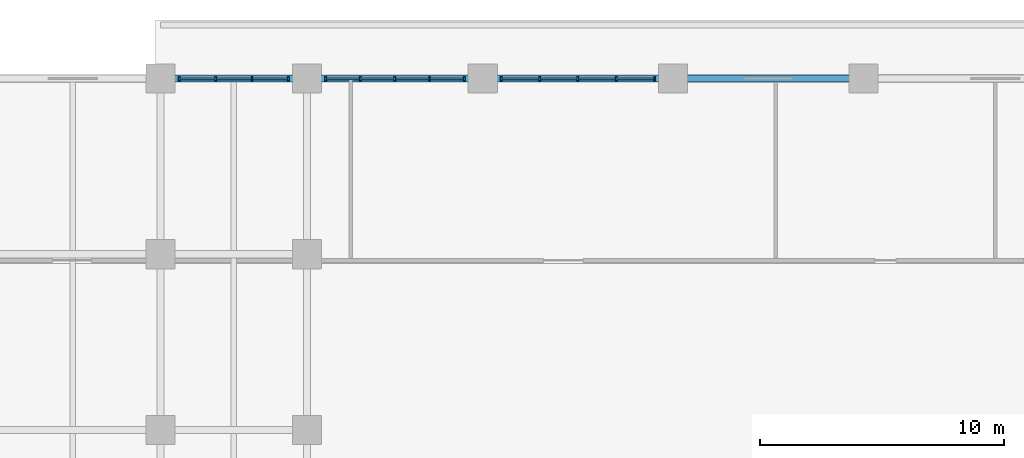
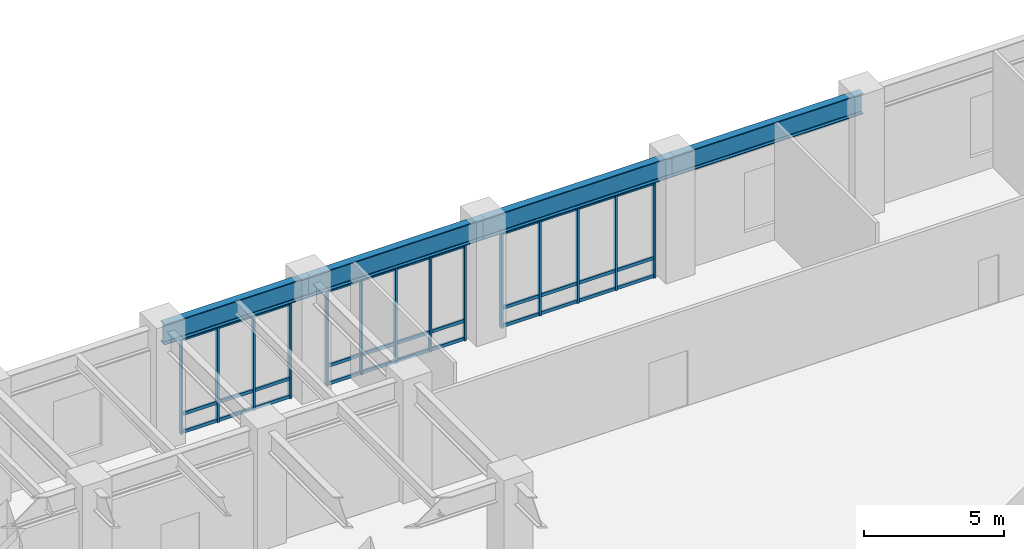
# One storey, part 3 of 20: 47 members, 4 beams, 3 elements without a shape of their own.
"""IFC4 building model written with IfcOpenShell, lengths in metres."""

import ifcopenshell
import ifcopenshell.guid

model = None  # the IFC model being written
_history = None  # IfcOwnerHistory: only IFC2X3 demands one
_inside = {}  # id of a spatial element -> (the spatial element, [elements in it])
_under = {}  # id of a project, library or spatial element -> (it, [spatial elements below it])
_declared = {}  # id of a project -> (the project, [libraries it declares])
_typed = {}  # id of a type object -> (the type object, [elements of that type])
_made_of = {}  # id of a material, layer set ... -> (it, [elements and type objects made of it])


def new_model(schema):
    """Start an empty IFC model of exactly this schema.

    Asked for "IFC4X3", IfcOpenShell would pick the latest addendum, in which some entities
    have other attributes; the version numbers below select the first issue.
    IFC2X3 requires an IfcOwnerHistory on every rooted entity: one is made here for all.
    """
    global model, _history
    if schema == "IFC4X3":
        model = ifcopenshell.file(schema_version=(4, 3, 0, 0))
    else:
        model = ifcopenshell.file(schema=schema)
    _inside.clear()
    _under.clear()
    _declared.clear()
    _typed.clear()
    _made_of.clear()
    _history = None
    if model.schema == "IFC2X3":
        org = make("IfcOrganization", Name="unknown")
        user = make(
            "IfcPersonAndOrganization",
            ThePerson=make("IfcPerson", FamilyName="unknown"),
            TheOrganization=org,
        )
        app = make(
            "IfcApplication",
            ApplicationDeveloper=org,
            Version="unknown",
            ApplicationFullName="unknown",
            ApplicationIdentifier="unknown",
        )
        _history = make(
            "IfcOwnerHistory",
            OwningUser=user,
            OwningApplication=app,
            ChangeAction="ADDED",
            CreationDate=0,
        )
    return model


def make(cls, **values):
    """One entity of the class cls with the attributes given. An attribute that is None is left unset."""
    return model.create_entity(
        cls, **{name: value for name, value in values.items() if value is not None}
    )


def rooted(cls, **values):
    """An entity with a GlobalId (a new one), such as an element, a storey or a relation."""
    return make(cls, GlobalId=ifcopenshell.guid.new(), OwnerHistory=_history, **values)


def si_unit(unit_type, name, prefix=None):
    """IfcSIUnit, for example si_unit("LENGTHUNIT", "METRE", prefix="MILLI")."""
    return make("IfcSIUnit", UnitType=unit_type, Prefix=prefix, Name=name)


def derived_unit(unit_type, elements):
    """IfcDerivedUnit: a product of units, each with its exponent."""
    return make(
        "IfcDerivedUnit",
        Elements=[
            make("IfcDerivedUnitElement", Unit=unit, Exponent=power)
            for unit, power in elements
        ],
        UnitType=unit_type,
    )


def assignment(units):
    """IfcUnitAssignment: the units of a project."""
    return None if units is None else make("IfcUnitAssignment", Units=units)


def point(xyz):
    """IfcCartesianPoint."""
    return None if xyz is None else make("IfcCartesianPoint", Coordinates=xyz)


def direction(xyz):
    """IfcDirection."""
    return None if xyz is None else make("IfcDirection", DirectionRatios=xyz)


def frame(location, z_axis=None, x_axis=None):
    """IfcAxis2Placement3D, a coordinate frame: its origin and axes. An axis left out is left unset."""
    return make(
        "IfcAxis2Placement3D",
        Location=point(location),
        Axis=direction(z_axis),
        RefDirection=direction(x_axis),
    )


def frame_2d(location, x_axis=None):
    """IfcAxis2Placement2D, a coordinate frame in the plane: its origin and x axis."""
    return make(
        "IfcAxis2Placement2D", Location=point(location), RefDirection=direction(x_axis)
    )


def origin():
    """The frame at (0, 0, 0) with its axes left unset."""
    return frame((0.0, 0.0, 0.0))


def origin_2d():
    """The frame at (0, 0) in the plane with its x axis left unset."""
    return frame_2d((0.0, 0.0))


def place(relative_to, where):
    """IfcLocalPlacement: puts the frame where relative to a parent placement (None: the world)."""
    return make(
        "IfcLocalPlacement", PlacementRelTo=relative_to, RelativePlacement=where
    )


def context(
    kind, dimensions, precision=None, world=None, true_north=None, identifier=None
):
    """IfcGeometricRepresentationContext, for example the 3D "Model" context."""
    return make(
        "IfcGeometricRepresentationContext",
        ContextIdentifier=identifier,
        ContextType=kind,
        CoordinateSpaceDimension=dimensions,
        Precision=precision,
        WorldCoordinateSystem=world,
        TrueNorth=true_north,
    )


def subcontext(parent, identifier, kind, view, scale=None):
    """IfcGeometricRepresentationSubContext, for example "Body" below "Model"."""
    return make(
        "IfcGeometricRepresentationSubContext",
        ContextIdentifier=identifier,
        ContextType=kind,
        ParentContext=parent,
        TargetScale=scale,
        TargetView=view,
    )


def project(units=None, contexts=None):
    """IfcProject with its units and contexts."""
    return rooted(
        "IfcProject",
        Name="project",
        RepresentationContexts=contexts,
        UnitsInContext=assignment(units),
    )


def spatial(cls, under=None, at=None, **own):
    """A site, building, storey or space (cls), placed at a placement, below another one or the project."""
    s = rooted(cls, ObjectPlacement=at, **own)
    if under is not None:
        _under.setdefault(under.id(), (under, []))[1].append(s)
    return s


def profile(cls, at=None, kind="AREA", **sizes):
    """A parametric profile (cls). Its sizes go by their IFC names, for example OverallWidth=200.0."""
    return make(cls, ProfileType=kind, Position=at, **sizes)


def rectangle(**sizes):
    """IfcRectangleProfileDef."""
    return profile("IfcRectangleProfileDef", **sizes)


def i_section(**sizes):
    """IfcIShapeProfileDef."""
    return profile("IfcIShapeProfileDef", **sizes)


def extrude(swept, where, along, depth):
    """IfcExtrudedAreaSolid: the profile swept, set in the frame where, extruded along a direction by depth."""
    return make(
        "IfcExtrudedAreaSolid",
        SweptArea=swept,
        Position=where,
        ExtrudedDirection=direction(along),
        Depth=depth,
    )


def shape(context_of_items, identifier, shape_type, items):
    """IfcShapeRepresentation: the items that make up one representation, for example the "Body"."""
    return make(
        "IfcShapeRepresentation",
        ContextOfItems=context_of_items,
        RepresentationIdentifier=identifier,
        RepresentationType=shape_type,
        Items=items,
    )


def source(mapping_origin, context_of_items, identifier, shape_type, items):
    """IfcRepresentationMap: a shape defined once, which mapped items show again and again."""
    return make(
        "IfcRepresentationMap",
        MappingOrigin=mapping_origin,
        MappedRepresentation=shape(context_of_items, identifier, shape_type, items),
    )


def transform(
    local_origin,
    x_axis=None,
    y_axis=None,
    z_axis=None,
    scale=None,
    scale2=None,
    scale3=None,
    uniform=True,
):
    """IfcCartesianTransformationOperator3D, or its non-uniform kind. x_axis, y_axis, z_axis: its Axis1, 2, 3."""
    if uniform:
        return make(
            "IfcCartesianTransformationOperator3D",
            Axis1=direction(x_axis),
            Axis2=direction(y_axis),
            LocalOrigin=point(local_origin),
            Scale=scale,
            Axis3=direction(z_axis),
        )
    return make(
        "IfcCartesianTransformationOperator3DnonUniform",
        Axis1=direction(x_axis),
        Axis2=direction(y_axis),
        LocalOrigin=point(local_origin),
        Scale=scale,
        Axis3=direction(z_axis),
        Scale2=scale2,
        Scale3=scale3,
    )


def mapped(mapping_source, mapping_target):
    """IfcMappedItem: shows the shape of a source again, moved by a transform."""
    return make(
        "IfcMappedItem", MappingSource=mapping_source, MappingTarget=mapping_target
    )


def material(Name=None, Category=None):
    """IfcMaterial."""
    return make("IfcMaterial", Name=Name, Category=Category)


def layer(
    of_material, thickness, ventilated=None, Name=None, Category=None, Priority=None
):
    """IfcMaterialLayer: one layer of a wall or slab, of a material (None: an air gap)."""
    return make(
        "IfcMaterialLayer",
        Material=of_material,
        LayerThickness=thickness,
        IsVentilated=ventilated,
        Name=Name,
        Category=Category,
        Priority=Priority,
    )


def layer_set(layers, Name=None):
    """IfcMaterialLayerSet."""
    return make("IfcMaterialLayerSet", MaterialLayers=layers, LayerSetName=Name)


def material_profile(
    of_material, cross_section, Name=None, Category=None, Priority=None
):
    """IfcMaterialProfile: a cross section and its material."""
    return make(
        "IfcMaterialProfile",
        Name=Name,
        Material=of_material,
        Profile=cross_section,
        Priority=Priority,
        Category=Category,
    )


def profile_set(profiles, Name=None, composite=None):
    """IfcMaterialProfileSet."""
    return make(
        "IfcMaterialProfileSet",
        Name=Name,
        MaterialProfiles=profiles,
        CompositeProfile=composite,
    )


def made_of(thing, what):
    """Note that an element or type object is made of a material, layer set ...; save() writes the relation."""
    if what is not None:
        _made_of.setdefault(what.id(), (what, []))[1].append(thing)
    return thing


def type_object(cls, material=None, **own):
    """A type object (cls), such as IfcWallType, which elements share."""
    return made_of(rooted(cls, **own), material)


def type_shapes(of_type, sources):
    """Give a type object the sources (RepresentationMaps) that its elements show as mapped items."""
    of_type.RepresentationMaps = sources


def element(
    cls,
    number,
    at=None,
    inside=None,
    cuts=None,
    type_object=None,
    material=None,
    context=None,
    identifier="Body",
    shape_type=None,
    held_by="IfcProductDefinitionShape",
    body=None,
    shapes=None,
    **own,
):
    """One element of the class cls, such as IfcWall. Its Tag is "e" and its number.

    at: its placement. inside: the storey or other place that contains it. cuts: it is an
    opening in that element (IfcRelVoidsElement). A single representation is given by context,
    identifier, shape_type and body (its items); several are given by shapes. held_by: the class
    of the entity that holds the representations. save() writes the other relations.
    """
    e = rooted(cls, Tag="e%d" % number, ObjectPlacement=at, **own)
    if body is not None:
        shapes = [shape(context, identifier, shape_type, body)]
    if shapes is not None:
        e.Representation = make(held_by, Representations=shapes)
    if inside is not None:
        _inside.setdefault(inside.id(), (inside, []))[1].append(e)
    if cuts is not None:
        rooted(
            "IfcRelVoidsElement", RelatingBuildingElement=cuts, RelatedOpeningElement=e
        )
    if type_object is not None:
        _typed.setdefault(type_object.id(), (type_object, []))[1].append(e)
    return made_of(e, material)


def aggregate(whole, parts):
    """IfcRelAggregates: a whole, such as a stair, and the parts it consists of."""
    return rooted("IfcRelAggregates", RelatingObject=whole, RelatedObjects=parts)


def save(model, path):
    """Write the relations noted so far, then the file.

    IfcRelAggregates (storeys below a building ...), IfcRelContainedInSpatialStructure (elements
    in a storey), IfcRelDefinesByType, IfcRelAssociatesMaterial and IfcRelDeclares: one each for
    every whole, place, type object, material and project.
    """
    for whole, parts in _under.values():
        aggregate(whole, parts)
    for where, things in _inside.values():
        rooted(
            "IfcRelContainedInSpatialStructure",
            RelatedElements=things,
            RelatingStructure=where,
        )
    for kind, things in _typed.values():
        rooted("IfcRelDefinesByType", RelatedObjects=things, RelatingType=kind)
    for what, things in _made_of.values():
        rooted("IfcRelAssociatesMaterial", RelatedObjects=things, RelatingMaterial=what)
    for by, libraries in _declared.values():
        rooted("IfcRelDeclares", RelatingContext=by, RelatedDefinitions=libraries)
    model.write(path)


model = new_model("IFC4")

# Units and contexts
model_context = context("Model", 3, precision=1e-05, world=origin(), true_north=direction((0.0, 1.0)))
body_context = subcontext(model_context, "Body", "Model", "MODEL_VIEW")
ifc_project = project(units=[si_unit("LENGTHUNIT", "METRE"), si_unit("AREAUNIT", "SQUARE_METRE"), si_unit("VOLUMEUNIT", "CUBIC_METRE"), si_unit("PLANEANGLEUNIT", "RADIAN"), si_unit("MASSUNIT", "GRAM", prefix="KILO"), si_unit("THERMODYNAMICTEMPERATUREUNIT", "KELVIN"), si_unit("POWERUNIT", "WATT"), derived_unit("THERMALTRANSMITTANCEUNIT", [(si_unit("POWERUNIT", "WATT"), 1), (si_unit("AREAUNIT", "SQUARE_METRE"), -1), (si_unit("THERMODYNAMICTEMPERATUREUNIT", "KELVIN"), -1)])], contexts=[model_context])

# Site, building, storey
site_placement = place(None, origin())
site = spatial("IfcSite", under=ifc_project, at=site_placement, CompositionType="ELEMENT")
building_placement = place(site_placement, origin())
building = spatial("IfcBuilding", under=site, at=building_placement, Name="Zahravan Archway Hotel and Residences", CompositionType="ELEMENT")
storey_placement = place(building_placement, frame((0.0, 0.0, 16.199951171875)))
storey = spatial("IfcBuildingStorey", under=building, at=storey_placement, Name="L03", CompositionType="ELEMENT", Elevation=16.199951171875)

# Beams
ifc_material_1 = material(Name="Structural Steel S355J2", Category="steel")
ifc_material_profile_1 = material_profile(ifc_material_1, i_section(OverallWidth=0.300048828125, OverallDepth=0.89990234375, WebThickness=0.0185546875, FlangeThickness=0.034912109375, FilletRadius=0.030029296875, at=origin_2d()), Name="HEB 900", Category="steel")
ifc_profile_set_1 = profile_set([ifc_material_profile_1], Name="Structural Steel S355J2")
beam_type = type_object("IfcBeamType", Name="BM-PRI-HEB900", PredefinedType="BEAM", material=ifc_profile_set_1)
shared_shape_1 = source(origin(), body_context, "Body", "SweptSolid", [
    extrude(i_section(OverallWidth=0.300048828125, OverallDepth=0.89990234375, WebThickness=0.0185546875, FlangeThickness=0.034912109375, FilletRadius=0.030029296875, at=origin_2d()), origin(), (0.0, 0.0, 1.0), 7.199951171875),
])
beam_1_placement = place(storey_placement, frame((34.800048828125, 46.800048828125, 4.650146484375), z_axis=(1.0, 0.0, 0.0), x_axis=(0.0, 1.0, 0.0)))
element("IfcBeam", 1, at=beam_1_placement, inside=storey, type_object=beam_type, Name="L03 Primary Girder EW-65", PredefinedType="BEAM", context=body_context, shape_type="MappedRepresentation", body=[
    mapped(shared_shape_1, transform((0.0, 0.0, 0.0), scale=1.0)),
])
shared_shape_2 = source(origin(), body_context, "Body", "SweptSolid", [
    extrude(i_section(OverallWidth=0.300048828125, OverallDepth=0.89990234375, WebThickness=0.0185546875, FlangeThickness=0.034912109375, FilletRadius=0.030029296875, at=origin_2d()), origin(), (0.0, 0.0, 1.0), 6.0),
])
beam_2_placement = place(storey_placement, frame((28.800048828125, 46.800048828125, 4.650146484375), z_axis=(1.0, 0.0, 0.0), x_axis=(0.0, 1.0, 0.0)))
element("IfcBeam", 2, at=beam_2_placement, inside=storey, type_object=beam_type, Name="L03 Primary Girder EW-64", PredefinedType="BEAM", context=body_context, shape_type="MappedRepresentation", body=[
    mapped(shared_shape_2, transform((0.0, 0.0, 0.0), scale=1.0)),
])
shared_shape_3 = source(origin(), body_context, "Body", "SweptSolid", [
    extrude(i_section(OverallWidth=0.300048828125, OverallDepth=0.89990234375, WebThickness=0.0185546875, FlangeThickness=0.034912109375, FilletRadius=0.030029296875, at=origin_2d()), origin(), (0.0, 0.0, 1.0), 7.800048828125),
])
for number, where, z_axis, x_axis, name in (
    (3, (42.0, 46.800048828125, 4.650146484375), (1.0, 0.0, 0.0), (0.0, 1.0, 0.0), "L03 Primary Girder EW-66"),
    (4, (49.800048828125, 46.800048828125, 4.650146484375), (1.0, 0.0, 0.0), (0.0, 1.0, 0.0), "L03 Primary Girder EW-67"),
):
    element("IfcBeam", number, at=place(storey_placement, frame(where, z_axis=z_axis, x_axis=x_axis)), inside=storey, type_object=beam_type, Name=name, PredefinedType="BEAM", context=body_context, shape_type="MappedRepresentation", body=[
        mapped(shared_shape_3, transform((0.0, 0.0, 0.0), scale=1.0)),
    ])

# Curtain wall, members
ifc_material_2 = material(Name="Bronze-Anodized Unitised Aluminium & Low-E Glass", Category="aluminium")
ifc_layer = layer(ifc_material_2, 0.179931640625, Name="Bronze-Anodized Unitised Aluminium & Low-E Glass", Category="aluminium")
ifc_layer_set = layer_set([ifc_layer], Name="Bronze-Anodized Unitised Aluminium & Low-E Glass")
curtain_wall_type = type_object("IfcCurtainWallType", Name="CW-POD-ARCH", PredefinedType="NOTDEFINED", material=ifc_layer_set)
curtain_wall_1_placement = place(storey_placement, origin())
curtain_wall_1 = element("IfcCurtainWall", 5, at=curtain_wall_1_placement, inside=storey, type_object=curtain_wall_type, Name="L03 Curtain Wall CW-POD-L03-1", PredefinedType="NOTDEFINED")
ifc_material_3 = material(Name="Bronze-Anodized Extruded Aluminium", Category="aluminium")
ifc_material_profile_2 = material_profile(ifc_material_3, rectangle(XDim=0.080078125, YDim=0.139892578125, at=origin_2d()), Name="TRN 80x140", Category="aluminium")
ifc_profile_set_2 = profile_set([ifc_material_profile_2], Name="Bronze-Anodized Extruded Aluminium")
member_type_1 = type_object("IfcMemberType", Name="CWM-TRN-140", PredefinedType="USERDEFINED", material=ifc_profile_set_2)
shared_shape_4 = source(origin(), body_context, "Body", "SweptSolid", [
    extrude(rectangle(XDim=0.080078125, YDim=0.139892578125, at=origin_2d()), origin(), (0.0, 0.0, 1.0), 1.4130859375),
])
type_shapes(member_type_1, [shared_shape_4])
member_1_placement = place(storey_placement, frame((29.60009765625, 46.800048828125, 0.070068359375), z_axis=(1.0, 0.0, 0.0), x_axis=(0.0, 1.0, 0.0)))
member_1 = element("IfcMember", 6, at=member_1_placement, type_object=member_type_1, Name="CW-POD-L03-1 Transom 0-1", ObjectType="TRANSOM", PredefinedType="USERDEFINED", context=body_context, shape_type="MappedRepresentation", body=[
    mapped(shared_shape_4, transform((0.0, 0.0, 0.0), scale=1.0)),
])
member_2_placement = place(storey_placement, frame((29.60009765625, 46.800048828125, 0.85009765625), z_axis=(1.0, 0.0, 0.0), x_axis=(0.0, 1.0, 0.0)))
member_2 = element("IfcMember", 7, at=member_2_placement, type_object=member_type_1, Name="CW-POD-L03-1 Transom 0-2", ObjectType="TRANSOM", PredefinedType="USERDEFINED", context=body_context, shape_type="MappedRepresentation", body=[
    mapped(shared_shape_4, transform((0.0, 0.0, 0.0), scale=1.0)),
])
member_3_placement = place(storey_placement, frame((29.60009765625, 46.800048828125, 4.114990234375), z_axis=(1.0, 0.0, 0.0), x_axis=(0.0, 1.0, 0.0)))
member_3 = element("IfcMember", 8, at=member_3_placement, type_object=member_type_1, Name="CW-POD-L03-1 Transom 0-3", ObjectType="TRANSOM", PredefinedType="USERDEFINED", context=body_context, shape_type="MappedRepresentation", body=[
    mapped(shared_shape_4, transform((0.0, 0.0, 0.0), scale=1.0)),
])
shared_shape_5 = source(origin(), body_context, "Body", "SweptSolid", [
    extrude(rectangle(XDim=0.080078125, YDim=0.139892578125, at=origin_2d()), origin(), (0.0, 0.0, 1.0), 1.413330078125),
])
member_4_placement = place(storey_placement, frame((31.09326171875, 46.800048828125, 0.070068359375), z_axis=(1.0, 0.0, 0.0), x_axis=(0.0, 1.0, 0.0)))
member_4 = element("IfcMember", 9, at=member_4_placement, type_object=member_type_1, Name="CW-POD-L03-1 Transom 1-1", ObjectType="TRANSOM", PredefinedType="USERDEFINED", context=body_context, shape_type="MappedRepresentation", body=[
    mapped(shared_shape_5, transform((0.0, 0.0, 0.0), scale=1.0)),
])
member_5_placement = place(storey_placement, frame((31.09326171875, 46.800048828125, 0.85009765625), z_axis=(1.0, 0.0, 0.0), x_axis=(0.0, 1.0, 0.0)))
member_5 = element("IfcMember", 10, at=member_5_placement, type_object=member_type_1, Name="CW-POD-L03-1 Transom 1-2", ObjectType="TRANSOM", PredefinedType="USERDEFINED", context=body_context, shape_type="MappedRepresentation", body=[
    mapped(shared_shape_5, transform((0.0, 0.0, 0.0), scale=1.0)),
])
member_6_placement = place(storey_placement, frame((31.09326171875, 46.800048828125, 4.114990234375), z_axis=(1.0, 0.0, 0.0), x_axis=(0.0, 1.0, 0.0)))
member_6 = element("IfcMember", 11, at=member_6_placement, type_object=member_type_1, Name="CW-POD-L03-1 Transom 1-3", ObjectType="TRANSOM", PredefinedType="USERDEFINED", context=body_context, shape_type="MappedRepresentation", body=[
    mapped(shared_shape_5, transform((0.0, 0.0, 0.0), scale=1.0)),
])
member_7_placement = place(storey_placement, frame((32.586669921875, 46.800048828125, 0.070068359375), z_axis=(1.0, 0.0, 0.0), x_axis=(0.0, 1.0, 0.0)))
member_7 = element("IfcMember", 12, at=member_7_placement, type_object=member_type_1, Name="CW-POD-L03-1 Transom 2-1", ObjectType="TRANSOM", PredefinedType="USERDEFINED", context=body_context, shape_type="MappedRepresentation", body=[
    mapped(shared_shape_5, transform((0.0, 0.0, 0.0), scale=1.0)),
])
member_8_placement = place(storey_placement, frame((32.586669921875, 46.800048828125, 0.85009765625), z_axis=(1.0, 0.0, 0.0), x_axis=(0.0, 1.0, 0.0)))
member_8 = element("IfcMember", 13, at=member_8_placement, type_object=member_type_1, Name="CW-POD-L03-1 Transom 2-2", ObjectType="TRANSOM", PredefinedType="USERDEFINED", context=body_context, shape_type="MappedRepresentation", body=[
    mapped(shared_shape_5, transform((0.0, 0.0, 0.0), scale=1.0)),
])
member_9_placement = place(storey_placement, frame((32.586669921875, 46.800048828125, 4.114990234375), z_axis=(1.0, 0.0, 0.0), x_axis=(0.0, 1.0, 0.0)))
member_9 = element("IfcMember", 14, at=member_9_placement, type_object=member_type_1, Name="CW-POD-L03-1 Transom 2-3", ObjectType="TRANSOM", PredefinedType="USERDEFINED", context=body_context, shape_type="MappedRepresentation", body=[
    mapped(shared_shape_5, transform((0.0, 0.0, 0.0), scale=1.0)),
])

curtain_wall_2_placement = place(storey_placement, origin())
curtain_wall_2 = element("IfcCurtainWall", 15, at=curtain_wall_2_placement, inside=storey, type_object=curtain_wall_type, Name="L03 Curtain Wall CW-POD-L03-2", PredefinedType="NOTDEFINED")
shared_shape_6 = source(origin(), body_context, "Body", "SweptSolid", [
    extrude(rectangle(XDim=0.080078125, YDim=0.139892578125, at=origin_2d()), origin(), (0.0, 0.0, 1.0), 1.33984375),
])
member_10_placement = place(storey_placement, frame((35.60009765625, 46.800048828125, 0.070068359375), z_axis=(1.0, 0.0, 0.0), x_axis=(0.0, 1.0, 0.0)))
member_10 = element("IfcMember", 16, at=member_10_placement, type_object=member_type_1, Name="CW-POD-L03-2 Transom 0-1", ObjectType="TRANSOM", PredefinedType="USERDEFINED", context=body_context, shape_type="MappedRepresentation", body=[
    mapped(shared_shape_6, transform((0.0, 0.0, 0.0), scale=1.0)),
])
member_11_placement = place(storey_placement, frame((35.60009765625, 46.800048828125, 0.85009765625), z_axis=(1.0, 0.0, 0.0), x_axis=(0.0, 1.0, 0.0)))
member_11 = element("IfcMember", 17, at=member_11_placement, type_object=member_type_1, Name="CW-POD-L03-2 Transom 0-2", ObjectType="TRANSOM", PredefinedType="USERDEFINED", context=body_context, shape_type="MappedRepresentation", body=[
    mapped(shared_shape_6, transform((0.0, 0.0, 0.0), scale=1.0)),
])
member_12_placement = place(storey_placement, frame((35.60009765625, 46.800048828125, 4.114990234375), z_axis=(1.0, 0.0, 0.0), x_axis=(0.0, 1.0, 0.0)))
member_12 = element("IfcMember", 18, at=member_12_placement, type_object=member_type_1, Name="CW-POD-L03-2 Transom 0-3", ObjectType="TRANSOM", PredefinedType="USERDEFINED", context=body_context, shape_type="MappedRepresentation", body=[
    mapped(shared_shape_6, transform((0.0, 0.0, 0.0), scale=1.0)),
])
member_13_placement = place(storey_placement, frame((39.860107421875, 46.800048828125, 0.070068359375), z_axis=(1.0, 0.0, 0.0), x_axis=(0.0, 1.0, 0.0)))
member_13 = element("IfcMember", 19, at=member_13_placement, type_object=member_type_1, Name="CW-POD-L03-2 Transom 3-1", ObjectType="TRANSOM", PredefinedType="USERDEFINED", context=body_context, shape_type="MappedRepresentation", body=[
    mapped(shared_shape_6, transform((0.0, 0.0, 0.0), scale=1.0)),
])
member_14_placement = place(storey_placement, frame((39.860107421875, 46.800048828125, 0.85009765625), z_axis=(1.0, 0.0, 0.0), x_axis=(0.0, 1.0, 0.0)))
member_14 = element("IfcMember", 20, at=member_14_placement, type_object=member_type_1, Name="CW-POD-L03-2 Transom 3-2", ObjectType="TRANSOM", PredefinedType="USERDEFINED", context=body_context, shape_type="MappedRepresentation", body=[
    mapped(shared_shape_6, transform((0.0, 0.0, 0.0), scale=1.0)),
])
member_15_placement = place(storey_placement, frame((39.860107421875, 46.800048828125, 4.114990234375), z_axis=(1.0, 0.0, 0.0), x_axis=(0.0, 1.0, 0.0)))
member_15 = element("IfcMember", 21, at=member_15_placement, type_object=member_type_1, Name="CW-POD-L03-2 Transom 3-3", ObjectType="TRANSOM", PredefinedType="USERDEFINED", context=body_context, shape_type="MappedRepresentation", body=[
    mapped(shared_shape_6, transform((0.0, 0.0, 0.0), scale=1.0)),
])
shared_shape_7 = source(origin(), body_context, "Body", "SweptSolid", [
    extrude(rectangle(XDim=0.080078125, YDim=0.139892578125, at=origin_2d()), origin(), (0.0, 0.0, 1.0), 1.340087890625),
])
member_16_placement = place(storey_placement, frame((37.02001953125, 46.800048828125, 0.070068359375), z_axis=(1.0, 0.0, 0.0), x_axis=(0.0, 1.0, 0.0)))
member_16 = element("IfcMember", 22, at=member_16_placement, type_object=member_type_1, Name="CW-POD-L03-2 Transom 1-1", ObjectType="TRANSOM", PredefinedType="USERDEFINED", context=body_context, shape_type="MappedRepresentation", body=[
    mapped(shared_shape_7, transform((0.0, 0.0, 0.0), scale=1.0)),
])
member_17_placement = place(storey_placement, frame((37.02001953125, 46.800048828125, 0.85009765625), z_axis=(1.0, 0.0, 0.0), x_axis=(0.0, 1.0, 0.0)))
member_17 = element("IfcMember", 23, at=member_17_placement, type_object=member_type_1, Name="CW-POD-L03-2 Transom 1-2", ObjectType="TRANSOM", PredefinedType="USERDEFINED", context=body_context, shape_type="MappedRepresentation", body=[
    mapped(shared_shape_7, transform((0.0, 0.0, 0.0), scale=1.0)),
])
member_18_placement = place(storey_placement, frame((37.02001953125, 46.800048828125, 4.114990234375), z_axis=(1.0, 0.0, 0.0), x_axis=(0.0, 1.0, 0.0)))
member_18 = element("IfcMember", 24, at=member_18_placement, type_object=member_type_1, Name="CW-POD-L03-2 Transom 1-3", ObjectType="TRANSOM", PredefinedType="USERDEFINED", context=body_context, shape_type="MappedRepresentation", body=[
    mapped(shared_shape_7, transform((0.0, 0.0, 0.0), scale=1.0)),
])
member_19_placement = place(storey_placement, frame((38.43994140625, 46.800048828125, 0.070068359375), z_axis=(1.0, 0.0, 0.0), x_axis=(0.0, 1.0, 0.0)))
member_19 = element("IfcMember", 25, at=member_19_placement, type_object=member_type_1, Name="CW-POD-L03-2 Transom 2-1", ObjectType="TRANSOM", PredefinedType="USERDEFINED", context=body_context, shape_type="MappedRepresentation", body=[
    mapped(shared_shape_7, transform((0.0, 0.0, 0.0), scale=1.0)),
])
member_20_placement = place(storey_placement, frame((38.43994140625, 46.800048828125, 0.85009765625), z_axis=(1.0, 0.0, 0.0), x_axis=(0.0, 1.0, 0.0)))
member_20 = element("IfcMember", 26, at=member_20_placement, type_object=member_type_1, Name="CW-POD-L03-2 Transom 2-2", ObjectType="TRANSOM", PredefinedType="USERDEFINED", context=body_context, shape_type="MappedRepresentation", body=[
    mapped(shared_shape_7, transform((0.0, 0.0, 0.0), scale=1.0)),
])
member_21_placement = place(storey_placement, frame((38.43994140625, 46.800048828125, 4.114990234375), z_axis=(1.0, 0.0, 0.0), x_axis=(0.0, 1.0, 0.0)))
member_21 = element("IfcMember", 27, at=member_21_placement, type_object=member_type_1, Name="CW-POD-L03-2 Transom 2-3", ObjectType="TRANSOM", PredefinedType="USERDEFINED", context=body_context, shape_type="MappedRepresentation", body=[
    mapped(shared_shape_7, transform((0.0, 0.0, 0.0), scale=1.0)),
])

curtain_wall_3_placement = place(storey_placement, origin())
curtain_wall_3 = element("IfcCurtainWall", 28, at=curtain_wall_3_placement, inside=storey, type_object=curtain_wall_type, Name="L03 Curtain Wall CW-POD-L03-3", PredefinedType="NOTDEFINED")
shared_shape_8 = source(origin(), body_context, "Body", "SweptSolid", [
    extrude(rectangle(XDim=0.080078125, YDim=0.139892578125, at=origin_2d()), origin(), (0.0, 0.0, 1.0), 1.489990234375),
])
member_22_placement = place(storey_placement, frame((42.800048828125, 46.800048828125, 0.070068359375), z_axis=(1.0, 0.0, 0.0), x_axis=(0.0, 1.0, 0.0)))
member_22 = element("IfcMember", 29, at=member_22_placement, type_object=member_type_1, Name="CW-POD-L03-3 Transom 0-1", ObjectType="TRANSOM", PredefinedType="USERDEFINED", context=body_context, shape_type="MappedRepresentation", body=[
    mapped(shared_shape_8, transform((0.0, 0.0, 0.0), scale=1.0)),
])
member_23_placement = place(storey_placement, frame((42.800048828125, 46.800048828125, 0.85009765625), z_axis=(1.0, 0.0, 0.0), x_axis=(0.0, 1.0, 0.0)))
member_23 = element("IfcMember", 30, at=member_23_placement, type_object=member_type_1, Name="CW-POD-L03-3 Transom 0-2", ObjectType="TRANSOM", PredefinedType="USERDEFINED", context=body_context, shape_type="MappedRepresentation", body=[
    mapped(shared_shape_8, transform((0.0, 0.0, 0.0), scale=1.0)),
])
member_24_placement = place(storey_placement, frame((42.800048828125, 46.800048828125, 4.114990234375), z_axis=(1.0, 0.0, 0.0), x_axis=(0.0, 1.0, 0.0)))
member_24 = element("IfcMember", 31, at=member_24_placement, type_object=member_type_1, Name="CW-POD-L03-3 Transom 0-3", ObjectType="TRANSOM", PredefinedType="USERDEFINED", context=body_context, shape_type="MappedRepresentation", body=[
    mapped(shared_shape_8, transform((0.0, 0.0, 0.0), scale=1.0)),
])
member_25_placement = place(storey_placement, frame((44.3701171875, 46.800048828125, 0.070068359375), z_axis=(1.0, 0.0, 0.0), x_axis=(0.0, 1.0, 0.0)))
member_25 = element("IfcMember", 32, at=member_25_placement, type_object=member_type_1, Name="CW-POD-L03-3 Transom 1-1", ObjectType="TRANSOM", PredefinedType="USERDEFINED", context=body_context, shape_type="MappedRepresentation", body=[
    mapped(shared_shape_8, transform((0.0, 0.0, 0.0), scale=1.0)),
])
member_26_placement = place(storey_placement, frame((44.3701171875, 46.800048828125, 0.85009765625), z_axis=(1.0, 0.0, 0.0), x_axis=(0.0, 1.0, 0.0)))
member_26 = element("IfcMember", 33, at=member_26_placement, type_object=member_type_1, Name="CW-POD-L03-3 Transom 1-2", ObjectType="TRANSOM", PredefinedType="USERDEFINED", context=body_context, shape_type="MappedRepresentation", body=[
    mapped(shared_shape_8, transform((0.0, 0.0, 0.0), scale=1.0)),
])
member_27_placement = place(storey_placement, frame((44.3701171875, 46.800048828125, 4.114990234375), z_axis=(1.0, 0.0, 0.0), x_axis=(0.0, 1.0, 0.0)))
member_27 = element("IfcMember", 34, at=member_27_placement, type_object=member_type_1, Name="CW-POD-L03-3 Transom 1-3", ObjectType="TRANSOM", PredefinedType="USERDEFINED", context=body_context, shape_type="MappedRepresentation", body=[
    mapped(shared_shape_8, transform((0.0, 0.0, 0.0), scale=1.0)),
])
member_28_placement = place(storey_placement, frame((45.93994140625, 46.800048828125, 0.070068359375), z_axis=(1.0, 0.0, 0.0), x_axis=(0.0, 1.0, 0.0)))
member_28 = element("IfcMember", 35, at=member_28_placement, type_object=member_type_1, Name="CW-POD-L03-3 Transom 2-1", ObjectType="TRANSOM", PredefinedType="USERDEFINED", context=body_context, shape_type="MappedRepresentation", body=[
    mapped(shared_shape_8, transform((0.0, 0.0, 0.0), scale=1.0)),
])
member_29_placement = place(storey_placement, frame((45.93994140625, 46.800048828125, 0.85009765625), z_axis=(1.0, 0.0, 0.0), x_axis=(0.0, 1.0, 0.0)))
member_29 = element("IfcMember", 36, at=member_29_placement, type_object=member_type_1, Name="CW-POD-L03-3 Transom 2-2", ObjectType="TRANSOM", PredefinedType="USERDEFINED", context=body_context, shape_type="MappedRepresentation", body=[
    mapped(shared_shape_8, transform((0.0, 0.0, 0.0), scale=1.0)),
])
member_30_placement = place(storey_placement, frame((45.93994140625, 46.800048828125, 4.114990234375), z_axis=(1.0, 0.0, 0.0), x_axis=(0.0, 1.0, 0.0)))
member_30 = element("IfcMember", 37, at=member_30_placement, type_object=member_type_1, Name="CW-POD-L03-3 Transom 2-3", ObjectType="TRANSOM", PredefinedType="USERDEFINED", context=body_context, shape_type="MappedRepresentation", body=[
    mapped(shared_shape_8, transform((0.0, 0.0, 0.0), scale=1.0)),
])
member_31_placement = place(storey_placement, frame((47.510009765625, 46.800048828125, 0.070068359375), z_axis=(1.0, 0.0, 0.0), x_axis=(0.0, 1.0, 0.0)))
member_31 = element("IfcMember", 38, at=member_31_placement, type_object=member_type_1, Name="CW-POD-L03-3 Transom 3-1", ObjectType="TRANSOM", PredefinedType="USERDEFINED", context=body_context, shape_type="MappedRepresentation", body=[
    mapped(shared_shape_8, transform((0.0, 0.0, 0.0), scale=1.0)),
])
member_32_placement = place(storey_placement, frame((47.510009765625, 46.800048828125, 0.85009765625), z_axis=(1.0, 0.0, 0.0), x_axis=(0.0, 1.0, 0.0)))
member_32 = element("IfcMember", 39, at=member_32_placement, type_object=member_type_1, Name="CW-POD-L03-3 Transom 3-2", ObjectType="TRANSOM", PredefinedType="USERDEFINED", context=body_context, shape_type="MappedRepresentation", body=[
    mapped(shared_shape_8, transform((0.0, 0.0, 0.0), scale=1.0)),
])
member_33_placement = place(storey_placement, frame((47.510009765625, 46.800048828125, 4.114990234375), z_axis=(1.0, 0.0, 0.0), x_axis=(0.0, 1.0, 0.0)))
member_33 = element("IfcMember", 40, at=member_33_placement, type_object=member_type_1, Name="CW-POD-L03-3 Transom 3-3", ObjectType="TRANSOM", PredefinedType="USERDEFINED", context=body_context, shape_type="MappedRepresentation", body=[
    mapped(shared_shape_8, transform((0.0, 0.0, 0.0), scale=1.0)),
])

# Member
ifc_material_profile_3 = material_profile(ifc_material_3, rectangle(XDim=0.080078125, YDim=0.159912109375, at=origin_2d()), Name="MUL 80x160", Category="aluminium")
ifc_profile_set_3 = profile_set([ifc_material_profile_3], Name="Bronze-Anodized Extruded Aluminium")
member_type_2 = type_object("IfcMemberType", Name="CWM-MUL-160", PredefinedType="MULLION", material=ifc_profile_set_3)
shared_shape_9 = source(origin(), body_context, "Body", "SweptSolid", [
    extrude(rectangle(XDim=0.080078125, YDim=0.159912109375, at=origin_2d()), origin(), (0.0, 0.0, 1.0), 4.18505859375),
])
member_34_placement = place(storey_placement, frame((29.56005859375, 46.800048828125, 0.0), z_axis=(0.0, 0.0, 1.0), x_axis=(1.0, 0.0, 0.0)))
member_34 = element("IfcMember", 41, at=member_34_placement, type_object=member_type_2, Name="CW-POD-L03-1 Mullion 0", PredefinedType="MULLION", context=body_context, shape_type="MappedRepresentation", body=[
    mapped(shared_shape_9, transform((0.0, 0.0, 0.0), scale=1.0)),
])

member_35_placement = place(storey_placement, frame((31.05322265625, 46.800048828125, 0.0), z_axis=(0.0, 0.0, 1.0), x_axis=(1.0, 0.0, 0.0)))
member_35 = element("IfcMember", 42, at=member_35_placement, type_object=member_type_2, Name="CW-POD-L03-1 Mullion 1", PredefinedType="MULLION", context=body_context, shape_type="MappedRepresentation", body=[
    mapped(shared_shape_9, transform((0.0, 0.0, 0.0), scale=1.0)),
])

member_36_placement = place(storey_placement, frame((32.546630859375, 46.800048828125, 0.0), z_axis=(0.0, 0.0, 1.0), x_axis=(1.0, 0.0, 0.0)))
member_36 = element("IfcMember", 43, at=member_36_placement, type_object=member_type_2, Name="CW-POD-L03-1 Mullion 2", PredefinedType="MULLION", context=body_context, shape_type="MappedRepresentation", body=[
    mapped(shared_shape_9, transform((0.0, 0.0, 0.0), scale=1.0)),
])

member_37_placement = place(storey_placement, frame((34.0400390625, 46.800048828125, 0.0), z_axis=(0.0, 0.0, 1.0), x_axis=(1.0, 0.0, 0.0)))
member_37 = element("IfcMember", 44, at=member_37_placement, type_object=member_type_2, Name="CW-POD-L03-1 Mullion 3", PredefinedType="MULLION", context=body_context, shape_type="MappedRepresentation", body=[
    mapped(shared_shape_9, transform((0.0, 0.0, 0.0), scale=1.0)),
])

aggregate(curtain_wall_1, [member_34, member_35, member_36, member_37, member_1, member_2, member_3, member_4, member_5, member_6, member_7, member_8, member_9])

member_38_placement = place(storey_placement, frame((35.56005859375, 46.800048828125, 0.0), z_axis=(0.0, 0.0, 1.0), x_axis=(1.0, 0.0, 0.0)))
member_38 = element("IfcMember", 45, at=member_38_placement, type_object=member_type_2, Name="CW-POD-L03-2 Mullion 0", PredefinedType="MULLION", context=body_context, shape_type="MappedRepresentation", body=[
    mapped(shared_shape_9, transform((0.0, 0.0, 0.0), scale=1.0)),
])

member_39_placement = place(storey_placement, frame((36.97998046875, 46.800048828125, 0.0), z_axis=(0.0, 0.0, 1.0), x_axis=(1.0, 0.0, 0.0)))
member_39 = element("IfcMember", 46, at=member_39_placement, type_object=member_type_2, Name="CW-POD-L03-2 Mullion 1", PredefinedType="MULLION", context=body_context, shape_type="MappedRepresentation", body=[
    mapped(shared_shape_9, transform((0.0, 0.0, 0.0), scale=1.0)),
])

member_40_placement = place(storey_placement, frame((38.39990234375, 46.800048828125, 0.0), z_axis=(0.0, 0.0, 1.0), x_axis=(1.0, 0.0, 0.0)))
member_40 = element("IfcMember", 47, at=member_40_placement, type_object=member_type_2, Name="CW-POD-L03-2 Mullion 2", PredefinedType="MULLION", context=body_context, shape_type="MappedRepresentation", body=[
    mapped(shared_shape_9, transform((0.0, 0.0, 0.0), scale=1.0)),
])

member_41_placement = place(storey_placement, frame((39.820068359375, 46.800048828125, 0.0), z_axis=(0.0, 0.0, 1.0), x_axis=(1.0, 0.0, 0.0)))
member_41 = element("IfcMember", 48, at=member_41_placement, type_object=member_type_2, Name="CW-POD-L03-2 Mullion 3", PredefinedType="MULLION", context=body_context, shape_type="MappedRepresentation", body=[
    mapped(shared_shape_9, transform((0.0, 0.0, 0.0), scale=1.0)),
])

member_42_placement = place(storey_placement, frame((41.239990234375, 46.800048828125, 0.0), z_axis=(0.0, 0.0, 1.0), x_axis=(1.0, 0.0, 0.0)))
member_42 = element("IfcMember", 49, at=member_42_placement, type_object=member_type_2, Name="CW-POD-L03-2 Mullion 4", PredefinedType="MULLION", context=body_context, shape_type="MappedRepresentation", body=[
    mapped(shared_shape_9, transform((0.0, 0.0, 0.0), scale=1.0)),
])

aggregate(curtain_wall_2, [member_38, member_39, member_40, member_41, member_42, member_10, member_11, member_12, member_16, member_17, member_18, member_19, member_20, member_21, member_13, member_14, member_15])

member_43_placement = place(storey_placement, frame((42.760009765625, 46.800048828125, 0.0), z_axis=(0.0, 0.0, 1.0), x_axis=(1.0, 0.0, 0.0)))
member_43 = element("IfcMember", 50, at=member_43_placement, type_object=member_type_2, Name="CW-POD-L03-3 Mullion 0", PredefinedType="MULLION", context=body_context, shape_type="MappedRepresentation", body=[
    mapped(shared_shape_9, transform((0.0, 0.0, 0.0), scale=1.0)),
])

member_44_placement = place(storey_placement, frame((44.330078125, 46.800048828125, 0.0), z_axis=(0.0, 0.0, 1.0), x_axis=(1.0, 0.0, 0.0)))
member_44 = element("IfcMember", 51, at=member_44_placement, type_object=member_type_2, Name="CW-POD-L03-3 Mullion 1", PredefinedType="MULLION", context=body_context, shape_type="MappedRepresentation", body=[
    mapped(shared_shape_9, transform((0.0, 0.0, 0.0), scale=1.0)),
])

member_45_placement = place(storey_placement, frame((45.89990234375, 46.800048828125, 0.0), z_axis=(0.0, 0.0, 1.0), x_axis=(1.0, 0.0, 0.0)))
member_45 = element("IfcMember", 52, at=member_45_placement, type_object=member_type_2, Name="CW-POD-L03-3 Mullion 2", PredefinedType="MULLION", context=body_context, shape_type="MappedRepresentation", body=[
    mapped(shared_shape_9, transform((0.0, 0.0, 0.0), scale=1.0)),
])

member_46_placement = place(storey_placement, frame((47.469970703125, 46.800048828125, 0.0), z_axis=(0.0, 0.0, 1.0), x_axis=(1.0, 0.0, 0.0)))
member_46 = element("IfcMember", 53, at=member_46_placement, type_object=member_type_2, Name="CW-POD-L03-3 Mullion 3", PredefinedType="MULLION", context=body_context, shape_type="MappedRepresentation", body=[
    mapped(shared_shape_9, transform((0.0, 0.0, 0.0), scale=1.0)),
])

member_47_placement = place(storey_placement, frame((49.0400390625, 46.800048828125, 0.0), z_axis=(0.0, 0.0, 1.0), x_axis=(1.0, 0.0, 0.0)))
member_47 = element("IfcMember", 54, at=member_47_placement, type_object=member_type_2, Name="CW-POD-L03-3 Mullion 4", PredefinedType="MULLION", context=body_context, shape_type="MappedRepresentation", body=[
    mapped(shared_shape_9, transform((0.0, 0.0, 0.0), scale=1.0)),
])

aggregate(curtain_wall_3, [member_43, member_44, member_45, member_46, member_47, member_22, member_23, member_24, member_25, member_26, member_27, member_28, member_29, member_30, member_31, member_32, member_33])

save(model, "model.ifc")
